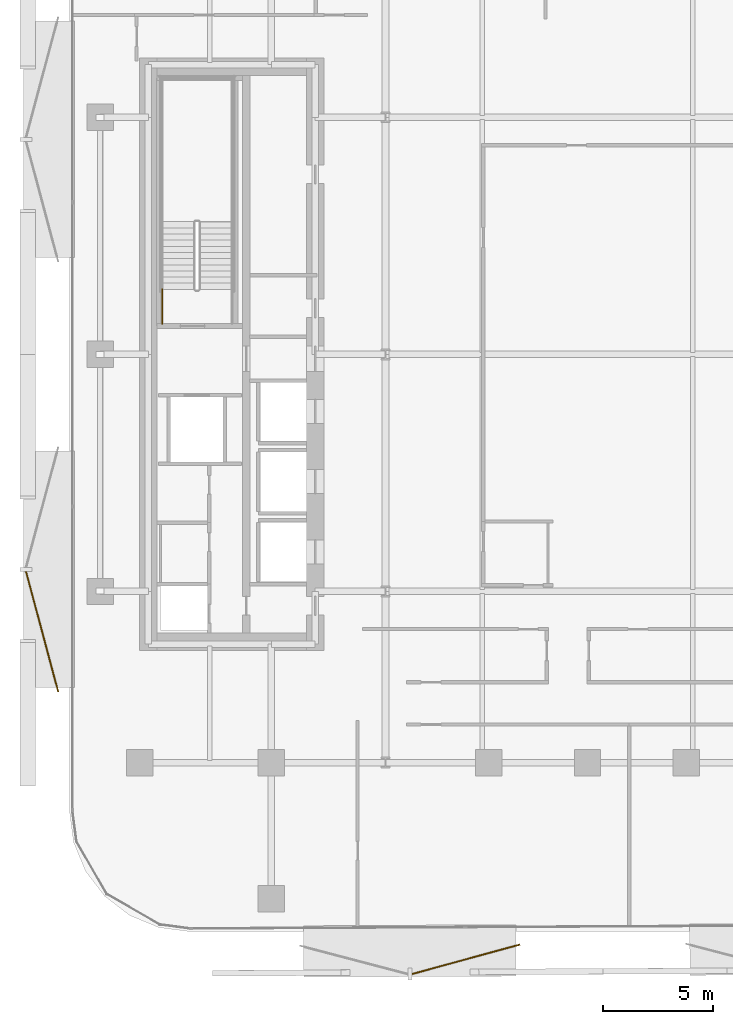
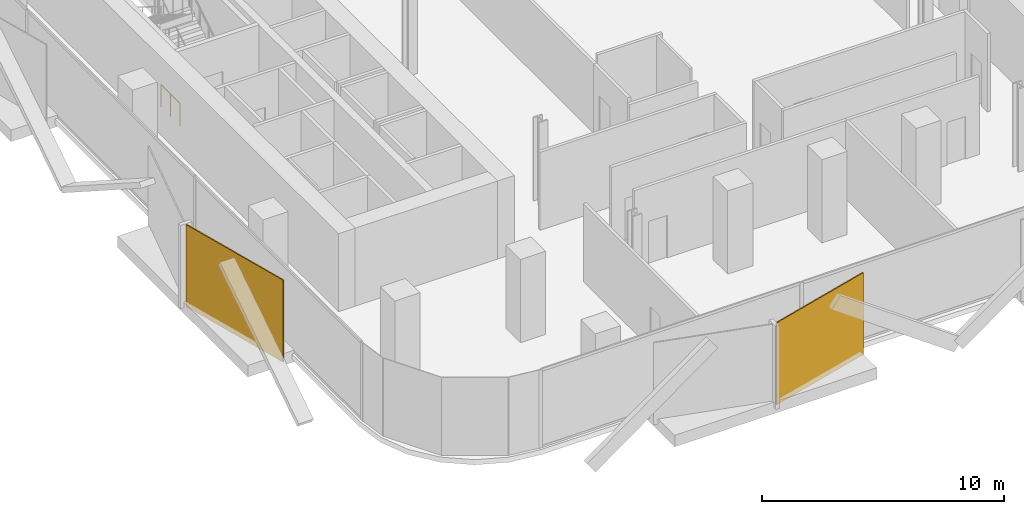
# One storey, part 11 of 15: 2 coverings, 1 railing.
"""IFC4 building model written with IfcOpenShell, lengths in metres."""

from ifc_helpers import new_model, si_unit, direction, frame, origin, origin_2d, place, context, subcontext, project, spatial, rectangle, circle, extrude, material, layer, layer_set, type_object, element, save


model = new_model("IFC4")

# Units and contexts
model_context = context("Model", 3, precision=1e-05, world=origin(), true_north=direction((0.0, 1.0)))
body_context = subcontext(model_context, "Body", "Model", "MODEL_VIEW")
ifc_project = project(units=[si_unit("LENGTHUNIT", "METRE"), si_unit("AREAUNIT", "SQUARE_METRE"), si_unit("VOLUMEUNIT", "CUBIC_METRE"), si_unit("PLANEANGLEUNIT", "RADIAN"), si_unit("MASSUNIT", "GRAM", prefix="KILO")], contexts=[model_context])

# Site, building, storey
site_placement = place(None, origin())
site = spatial("IfcSite", under=ifc_project, at=site_placement, CompositionType="ELEMENT")
building_placement = place(site_placement, origin())
building = spatial("IfcBuilding", under=site, at=building_placement, Name="Khairoan Windgate Tower", CompositionType="ELEMENT")
storey_placement = place(building_placement, frame((0.0, 0.0, 118.39990234375)))
storey = spatial("IfcBuildingStorey", under=building, at=storey_placement, Name="L27", CompositionType="ELEMENT", Elevation=118.39990234375)

# Coverings
ifc_material_1 = material(Name="Anodised Bronze Aluminium 6063-T6", Category="aluminium")
ifc_layer = layer(ifc_material_1, 0.054931640625, Name="Anodised Bronze Aluminium 6063-T6")
ifc_layer_set = layer_set([ifc_layer], Name="Anodised Bronze Aluminium 6063-T6")
covering_type = type_object("IfcCoveringType", Name="Perforated Bronze-Ceramic Folded Solar Screen Cladding BSC-1", PredefinedType="CLADDING", material=ifc_layer_set)
covering_1_placement = place(storey_placement, frame((-5.53564453125, -27.55859375, -0.099609375), z_axis=(0.0, 0.0, 1.0), x_axis=(-0.964649468762, -0.263536339841, 0.0)))
element("IfcCovering", 1, at=covering_1_placement, inside=storey, type_object=covering_type, Name="L27 Folded Bronze Solar Screen Facet 162L", PredefinedType="CLADDING", context=body_context, shape_type="SweptSolid", body=[
    extrude(rectangle(XDim=5.10107421875, YDim=0.054931640625, at=origin_2d()), origin(), (0.0, 0.0, 1.0), 4.139892578125),
])
covering_2_placement = place(storey_placement, frame((-24.8447265625, -12.629150390625, -0.099609375), z_axis=(0.0, 0.0, 1.0), x_axis=(-0.258819045103, 0.965925826289, 0.0)))
element("IfcCovering", 2, at=covering_2_placement, inside=storey, type_object=covering_type, Name="L27 Folded Bronze Solar Screen Facet 163L", PredefinedType="CLADDING", context=body_context, shape_type="SweptSolid", body=[
    extrude(rectangle(XDim=5.680908203125, YDim=0.054931640625, at=origin_2d()), origin(), (0.0, 0.0, 1.0), 4.139892578125),
])

# Railing
ifc_material_2 = material(Name="Steel S355", Category="steel")
railing_type = type_object("IfcRailingType", Name="Stairwell Safety Guardrail SGR-1150", PredefinedType="GUARDRAIL", material=ifc_material_2)
railing_placement = place(storey_placement, frame((-19.3701171875, 1.39990234375, 0.0)))
element("IfcRailing", 3, at=railing_placement, inside=storey, type_object=railing_type, Name="L27 ST2 stair guard 9", PredefinedType="GUARDRAIL", context=body_context, shape_type="SweptSolid", body=[
    extrude(circle(Radius=0.02392578125, at=origin_2d()), frame((0.0, 0.0, 1.1259765625), z_axis=(0.0, 1.0, 0.0), x_axis=(-1.0, 0.0, 0.0)), (0.0, 0.0, 1.0), 1.56005859375),
    extrude(circle(Radius=0.02099609375, at=origin_2d()), origin(), (0.0, 0.0, 1.0), 1.101806640625),
    extrude(circle(Radius=0.02099609375, at=origin_2d()), frame((0.0, 0.780029296875, 0.0)), (0.0, 0.0, 1.0), 1.101806640625),
    extrude(circle(Radius=0.02099609375, at=origin_2d()), frame((0.0, 1.56005859375, 0.0)), (0.0, 0.0, 1.0), 1.101806640625),
])

save(model, "model.ifc")
